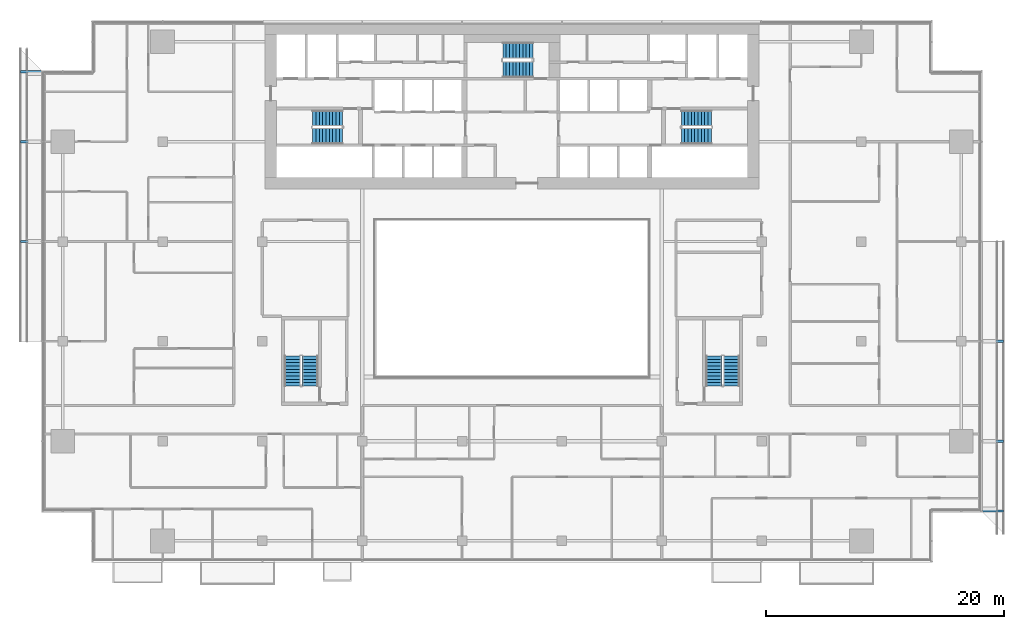
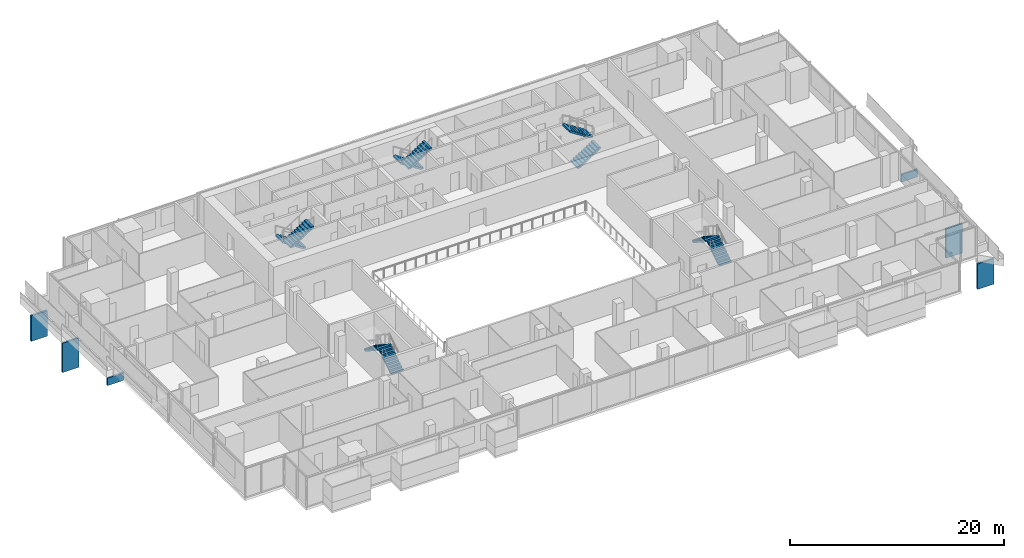
# One storey, part 24 of 27: 10 stair flights, 6 discrete accessories, 5 elements without a shape of their own.
"""IFC4 building model written with IfcOpenShell, lengths in metres."""

from ifc_helpers import new_model, si_unit, direction, frame, origin, origin_2d, place, context, subcontext, project, spatial, polyline, rectangle, outline, extrude, material, type_object, element, aggregate, save


model = new_model("IFC4")

# Units and contexts
model_context = context("Model", 3, precision=1e-05, world=origin(), true_north=direction((0.0, 1.0)))
body_context = subcontext(model_context, "Body", "Model", "MODEL_VIEW")
ifc_project = project(units=[si_unit("LENGTHUNIT", "METRE"), si_unit("AREAUNIT", "SQUARE_METRE"), si_unit("VOLUMEUNIT", "CUBIC_METRE"), si_unit("PLANEANGLEUNIT", "RADIAN"), si_unit("MASSUNIT", "GRAM", prefix="KILO")], contexts=[model_context])

# Site, building, storey
site_placement = place(None, origin())
site = spatial("IfcSite", under=ifc_project, at=site_placement, CompositionType="ELEMENT")
building_placement = place(site_placement, origin())
building = spatial("IfcBuilding", under=site, at=building_placement, Name="Saffron Gate Tower", CompositionType="ELEMENT")
storey_placement = place(building_placement, frame((0.0, 0.0, 109.64990234375)))
storey = spatial("IfcBuildingStorey", under=building, at=storey_placement, Name="L25", CompositionType="ELEMENT", Elevation=109.64990234375)

# Stair, stair flights
ifc_material = material(Name="Concrete C40", Category="concrete")
stair_type = type_object("IfcStairType", Name="ST7 Stair 1350 wide, 20 risers of 180", PredefinedType="HALF_TURN_STAIR", material=ifc_material)
stair_1_placement = place(storey_placement, origin())
stair_1 = element("IfcStair", 1, at=stair_1_placement, inside=storey, type_object=stair_type, Name="L25 Exit stair A", PredefinedType="HALF_TURN_STAIR")
stair_flight_type = type_object("IfcStairFlightType", Name="SF3 Stair flight 1350 wide, riser 180 going 280", PredefinedType="STRAIGHT", material=ifc_material)
stair_flight_1_placement = place(storey_placement, frame((73.35009765625, 67.375, 0.0), z_axis=(0.0, 0.0, 1.0), x_axis=(-1.0, 0.0, 0.0)))
stair_flight_1 = element("IfcStairFlight", 2, at=stair_flight_1_placement, type_object=stair_flight_type, Name="ST-A flight 1", NumberOfRisers=10, NumberOfTreads=9, PredefinedType="STRAIGHT", RiserHeight=0.18, TreadLength=0.28, context=body_context, shape_type="SweptSolid", body=[
    extrude(outline(polyline([(0.0, 0.0), (0.0, 0.179931640625), (0.280029296875, 0.179931640625), (0.280029296875, 0.360107421875), (0.56005859375, 0.360107421875), (0.56005859375, 0.5400390625), (0.840087890625, 0.5400390625), (0.840087890625, 0.719970703125), (1.1201171875, 0.719970703125), (1.1201171875, 0.89990234375), (1.39990234375, 0.89990234375), (1.39990234375, 1.080078125), (1.679931640625, 1.080078125), (1.679931640625, 1.260009765625), (1.9599609375, 1.260009765625), (1.9599609375, 1.43994140625), (2.239990234375, 1.43994140625), (2.239990234375, 1.6201171875), (2.52001953125, 1.6201171875), (2.52001953125, 1.800048828125), (2.52001953125, 1.44189453125), (0.277099609375, 0.0), (0.0, 0.0)])), frame((0.0, 0.675048828125, 0.0), z_axis=(0.0, -1.0, 0.0), x_axis=(1.0, 0.0, 0.0)), (0.0, 0.0, 1.0), 1.35009765625),
])
stair_flight_2_placement = place(storey_placement, frame((70.830078125, 65.875, 1.800048828125), z_axis=(0.0, 0.0, 1.0), x_axis=(1.0, 0.0, 0.0)))
stair_flight_2 = element("IfcStairFlight", 3, at=stair_flight_2_placement, type_object=stair_flight_type, Name="ST-A flight 2", NumberOfRisers=10, NumberOfTreads=9, PredefinedType="STRAIGHT", RiserHeight=0.18, TreadLength=0.28, context=body_context, shape_type="SweptSolid", body=[
    extrude(outline(polyline([(0.0, 0.0), (0.0, 0.179931640625), (0.280029296875, 0.179931640625), (0.280029296875, 0.360107421875), (0.56005859375, 0.360107421875), (0.56005859375, 0.5400390625), (0.840087890625, 0.5400390625), (0.840087890625, 0.719970703125), (1.1201171875, 0.719970703125), (1.1201171875, 0.89990234375), (1.39990234375, 0.89990234375), (1.39990234375, 1.080078125), (1.679931640625, 1.080078125), (1.679931640625, 1.260009765625), (1.9599609375, 1.260009765625), (1.9599609375, 1.43994140625), (2.239990234375, 1.43994140625), (2.239990234375, 1.6201171875), (2.52001953125, 1.6201171875), (2.52001953125, 1.800048828125), (2.52001953125, 1.44189453125), (0.277099609375, 0.0), (0.0, 0.0)])), frame((0.0, 0.675048828125, 0.0), z_axis=(0.0, -1.0, 0.0), x_axis=(1.0, 0.0, 0.0)), (0.0, 0.0, 1.0), 1.35009765625),
])
aggregate(stair_1, [stair_flight_1, stair_flight_2])

stair_2_placement = place(storey_placement, origin())
stair_2 = element("IfcStair", 4, at=stair_2_placement, inside=storey, type_object=stair_type, Name="L25 Exit stair B", PredefinedType="HALF_TURN_STAIR")
stair_flight_3_placement = place(storey_placement, frame((101.85009765625, 65.875, 0.0), z_axis=(0.0, 0.0, 1.0), x_axis=(1.0, 0.0, 0.0)))
stair_flight_3 = element("IfcStairFlight", 5, at=stair_flight_3_placement, type_object=stair_flight_type, Name="ST-B flight 1", NumberOfRisers=10, NumberOfTreads=9, PredefinedType="STRAIGHT", RiserHeight=0.18, TreadLength=0.28, context=body_context, shape_type="SweptSolid", body=[
    extrude(outline(polyline([(0.0, 0.0), (0.0, 0.179931640625), (0.280029296875, 0.179931640625), (0.280029296875, 0.360107421875), (0.56005859375, 0.360107421875), (0.56005859375, 0.5400390625), (0.840087890625, 0.5400390625), (0.840087890625, 0.719970703125), (1.1201171875, 0.719970703125), (1.1201171875, 0.89990234375), (1.39990234375, 0.89990234375), (1.39990234375, 1.080078125), (1.679931640625, 1.080078125), (1.679931640625, 1.260009765625), (1.9599609375, 1.260009765625), (1.9599609375, 1.43994140625), (2.239990234375, 1.43994140625), (2.239990234375, 1.6201171875), (2.52001953125, 1.6201171875), (2.52001953125, 1.800048828125), (2.52001953125, 1.44189453125), (0.277099609375, 0.0), (0.0, 0.0)])), frame((0.0, 0.675048828125, 0.0), z_axis=(0.0, -1.0, 0.0), x_axis=(1.0, 0.0, 0.0)), (0.0, 0.0, 1.0), 1.35009765625),
])
stair_flight_4_placement = place(storey_placement, frame((104.3701171875, 67.375, 1.800048828125), z_axis=(0.0, 0.0, 1.0), x_axis=(-1.0, 0.0, 0.0)))
stair_flight_4 = element("IfcStairFlight", 6, at=stair_flight_4_placement, type_object=stair_flight_type, Name="ST-B flight 2", NumberOfRisers=10, NumberOfTreads=9, PredefinedType="STRAIGHT", RiserHeight=0.18, TreadLength=0.28, context=body_context, shape_type="SweptSolid", body=[
    extrude(outline(polyline([(0.0, 0.0), (0.0, 0.179931640625), (0.280029296875, 0.179931640625), (0.280029296875, 0.360107421875), (0.56005859375, 0.360107421875), (0.56005859375, 0.5400390625), (0.840087890625, 0.5400390625), (0.840087890625, 0.719970703125), (1.1201171875, 0.719970703125), (1.1201171875, 0.89990234375), (1.39990234375, 0.89990234375), (1.39990234375, 1.080078125), (1.679931640625, 1.080078125), (1.679931640625, 1.260009765625), (1.9599609375, 1.260009765625), (1.9599609375, 1.43994140625), (2.239990234375, 1.43994140625), (2.239990234375, 1.6201171875), (2.52001953125, 1.6201171875), (2.52001953125, 1.800048828125), (2.52001953125, 1.44189453125), (0.277099609375, 0.0), (0.0, 0.0)])), frame((0.0, 0.675048828125, 0.0), z_axis=(0.0, -1.0, 0.0), x_axis=(1.0, 0.0, 0.0)), (0.0, 0.0, 1.0), 1.35009765625),
])
aggregate(stair_2, [stair_flight_3, stair_flight_4])

stair_3_placement = place(storey_placement, origin())
stair_3 = element("IfcStair", 7, at=stair_3_placement, inside=storey, type_object=stair_type, Name="L25 Exit stair C", PredefinedType="HALF_TURN_STAIR")
stair_flight_5_placement = place(storey_placement, frame((89.35009765625, 73.074951171875, 0.0), z_axis=(0.0, 0.0, 1.0), x_axis=(-1.0, 0.0, 0.0)))
stair_flight_5 = element("IfcStairFlight", 8, at=stair_flight_5_placement, type_object=stair_flight_type, Name="ST-C flight 1", NumberOfRisers=10, NumberOfTreads=9, PredefinedType="STRAIGHT", RiserHeight=0.18, TreadLength=0.28, context=body_context, shape_type="SweptSolid", body=[
    extrude(outline(polyline([(0.0, 0.0), (0.0, 0.179931640625), (0.280029296875, 0.179931640625), (0.280029296875, 0.360107421875), (0.56005859375, 0.360107421875), (0.56005859375, 0.5400390625), (0.840087890625, 0.5400390625), (0.840087890625, 0.719970703125), (1.1201171875, 0.719970703125), (1.1201171875, 0.89990234375), (1.39990234375, 0.89990234375), (1.39990234375, 1.080078125), (1.679931640625, 1.080078125), (1.679931640625, 1.260009765625), (1.9599609375, 1.260009765625), (1.9599609375, 1.43994140625), (2.239990234375, 1.43994140625), (2.239990234375, 1.6201171875), (2.52001953125, 1.6201171875), (2.52001953125, 1.800048828125), (2.52001953125, 1.44189453125), (0.277099609375, 0.0), (0.0, 0.0)])), frame((0.0, 0.675048828125, 0.0), z_axis=(0.0, -1.0, 0.0), x_axis=(1.0, 0.0, 0.0)), (0.0, 0.0, 1.0), 1.35009765625),
])
stair_flight_6_placement = place(storey_placement, frame((86.830078125, 71.47509765625, 1.800048828125), z_axis=(0.0, 0.0, 1.0), x_axis=(1.0, 0.0, 0.0)))
stair_flight_6 = element("IfcStairFlight", 9, at=stair_flight_6_placement, type_object=stair_flight_type, Name="ST-C flight 2", NumberOfRisers=10, NumberOfTreads=9, PredefinedType="STRAIGHT", RiserHeight=0.18, TreadLength=0.28, context=body_context, shape_type="SweptSolid", body=[
    extrude(outline(polyline([(0.0, 0.0), (0.0, 0.179931640625), (0.280029296875, 0.179931640625), (0.280029296875, 0.360107421875), (0.56005859375, 0.360107421875), (0.56005859375, 0.5400390625), (0.840087890625, 0.5400390625), (0.840087890625, 0.719970703125), (1.1201171875, 0.719970703125), (1.1201171875, 0.89990234375), (1.39990234375, 0.89990234375), (1.39990234375, 1.080078125), (1.679931640625, 1.080078125), (1.679931640625, 1.260009765625), (1.9599609375, 1.260009765625), (1.9599609375, 1.43994140625), (2.239990234375, 1.43994140625), (2.239990234375, 1.6201171875), (2.52001953125, 1.6201171875), (2.52001953125, 1.800048828125), (2.52001953125, 1.44189453125), (0.277099609375, 0.0), (0.0, 0.0)])), frame((0.0, 0.675048828125, 0.0), z_axis=(0.0, -1.0, 0.0), x_axis=(1.0, 0.0, 0.0)), (0.0, 0.0, 1.0), 1.35009765625),
])
aggregate(stair_3, [stair_flight_5, stair_flight_6])

stair_4_placement = place(storey_placement, origin())
stair_4 = element("IfcStair", 10, at=stair_4_placement, inside=storey, type_object=stair_type, Name="L25 Exit stair D", PredefinedType="HALF_TURN_STAIR")
stair_flight_7_placement = place(storey_placement, frame((70.625, 44.85009765625, 0.0), z_axis=(0.0, 0.0, 1.0), x_axis=(0.0, 1.0, 0.0)))
stair_flight_7 = element("IfcStairFlight", 11, at=stair_flight_7_placement, type_object=stair_flight_type, Name="ST-D flight 1", NumberOfRisers=10, NumberOfTreads=9, PredefinedType="STRAIGHT", RiserHeight=0.18, TreadLength=0.28, context=body_context, shape_type="SweptSolid", body=[
    extrude(outline(polyline([(0.0, 0.0), (0.0, 0.179931640625), (0.280029296875, 0.179931640625), (0.280029296875, 0.360107421875), (0.56005859375, 0.360107421875), (0.56005859375, 0.5400390625), (0.840087890625, 0.5400390625), (0.840087890625, 0.719970703125), (1.1201171875, 0.719970703125), (1.1201171875, 0.89990234375), (1.39990234375, 0.89990234375), (1.39990234375, 1.080078125), (1.679931640625, 1.080078125), (1.679931640625, 1.260009765625), (1.9599609375, 1.260009765625), (1.9599609375, 1.43994140625), (2.239990234375, 1.43994140625), (2.239990234375, 1.6201171875), (2.52001953125, 1.6201171875), (2.52001953125, 1.800048828125), (2.52001953125, 1.44189453125), (0.277099609375, 0.0), (0.0, 0.0)])), frame((0.0, 0.675048828125, 0.0), z_axis=(0.0, -1.0, 0.0), x_axis=(1.0, 0.0, 0.0)), (0.0, 0.0, 1.0), 1.35009765625),
])
stair_flight_8_placement = place(storey_placement, frame((69.125, 47.3701171875, 1.800048828125), z_axis=(0.0, 0.0, 1.0), x_axis=(0.0, -1.0, 0.0)))
stair_flight_8 = element("IfcStairFlight", 12, at=stair_flight_8_placement, type_object=stair_flight_type, Name="ST-D flight 2", NumberOfRisers=10, NumberOfTreads=9, PredefinedType="STRAIGHT", RiserHeight=0.18, TreadLength=0.28, context=body_context, shape_type="SweptSolid", body=[
    extrude(outline(polyline([(0.0, 0.0), (0.0, 0.179931640625), (0.280029296875, 0.179931640625), (0.280029296875, 0.360107421875), (0.56005859375, 0.360107421875), (0.56005859375, 0.5400390625), (0.840087890625, 0.5400390625), (0.840087890625, 0.719970703125), (1.1201171875, 0.719970703125), (1.1201171875, 0.89990234375), (1.39990234375, 0.89990234375), (1.39990234375, 1.080078125), (1.679931640625, 1.080078125), (1.679931640625, 1.260009765625), (1.9599609375, 1.260009765625), (1.9599609375, 1.43994140625), (2.239990234375, 1.43994140625), (2.239990234375, 1.6201171875), (2.52001953125, 1.6201171875), (2.52001953125, 1.800048828125), (2.52001953125, 1.44189453125), (0.277099609375, 0.0), (0.0, 0.0)])), frame((0.0, 0.675048828125, 0.0), z_axis=(0.0, -1.0, 0.0), x_axis=(1.0, 0.0, 0.0)), (0.0, 0.0, 1.0), 1.35009765625),
])
aggregate(stair_4, [stair_flight_7, stair_flight_8])

stair_5_placement = place(storey_placement, origin())
stair_5 = element("IfcStair", 13, at=stair_5_placement, inside=storey, type_object=stair_type, Name="L25 Exit stair E", PredefinedType="HALF_TURN_STAIR")
stair_flight_9_placement = place(storey_placement, frame((106.074951171875, 44.85009765625, 0.0), z_axis=(0.0, 0.0, 1.0), x_axis=(0.0, 1.0, 0.0)))
stair_flight_9 = element("IfcStairFlight", 14, at=stair_flight_9_placement, type_object=stair_flight_type, Name="ST-E flight 1", NumberOfRisers=10, NumberOfTreads=9, PredefinedType="STRAIGHT", RiserHeight=0.18, TreadLength=0.28, context=body_context, shape_type="SweptSolid", body=[
    extrude(outline(polyline([(0.0, 0.0), (0.0, 0.179931640625), (0.280029296875, 0.179931640625), (0.280029296875, 0.360107421875), (0.56005859375, 0.360107421875), (0.56005859375, 0.5400390625), (0.840087890625, 0.5400390625), (0.840087890625, 0.719970703125), (1.1201171875, 0.719970703125), (1.1201171875, 0.89990234375), (1.39990234375, 0.89990234375), (1.39990234375, 1.080078125), (1.679931640625, 1.080078125), (1.679931640625, 1.260009765625), (1.9599609375, 1.260009765625), (1.9599609375, 1.43994140625), (2.239990234375, 1.43994140625), (2.239990234375, 1.6201171875), (2.52001953125, 1.6201171875), (2.52001953125, 1.800048828125), (2.52001953125, 1.44189453125), (0.277099609375, 0.0), (0.0, 0.0)])), frame((0.0, 0.675048828125, 0.0), z_axis=(0.0, -1.0, 0.0), x_axis=(1.0, 0.0, 0.0)), (0.0, 0.0, 1.0), 1.35009765625),
])
stair_flight_10_placement = place(storey_placement, frame((104.574951171875, 47.3701171875, 1.800048828125), z_axis=(0.0, 0.0, 1.0), x_axis=(0.0, -1.0, 0.0)))
stair_flight_10 = element("IfcStairFlight", 15, at=stair_flight_10_placement, type_object=stair_flight_type, Name="ST-E flight 2", NumberOfRisers=10, NumberOfTreads=9, PredefinedType="STRAIGHT", RiserHeight=0.18, TreadLength=0.28, context=body_context, shape_type="SweptSolid", body=[
    extrude(outline(polyline([(0.0, 0.0), (0.0, 0.179931640625), (0.280029296875, 0.179931640625), (0.280029296875, 0.360107421875), (0.56005859375, 0.360107421875), (0.56005859375, 0.5400390625), (0.840087890625, 0.5400390625), (0.840087890625, 0.719970703125), (1.1201171875, 0.719970703125), (1.1201171875, 0.89990234375), (1.39990234375, 0.89990234375), (1.39990234375, 1.080078125), (1.679931640625, 1.080078125), (1.679931640625, 1.260009765625), (1.9599609375, 1.260009765625), (1.9599609375, 1.43994140625), (2.239990234375, 1.43994140625), (2.239990234375, 1.6201171875), (2.52001953125, 1.6201171875), (2.52001953125, 1.800048828125), (2.52001953125, 1.44189453125), (0.277099609375, 0.0), (0.0, 0.0)])), frame((0.0, 0.675048828125, 0.0), z_axis=(0.0, -1.0, 0.0), x_axis=(1.0, 0.0, 0.0)), (0.0, 0.0, 1.0), 1.35009765625),
])
aggregate(stair_5, [stair_flight_9, stair_flight_10])

# Discrete accessories
discrete_accessory_1_placement = place(storey_placement, frame((128.074951171875, 34.320068359375, -3.8798828125), z_axis=(0.0, 0.0, 1.0), x_axis=(0.0, 1.0, 0.0)))
element("IfcDiscreteAccessory", 16, at=discrete_accessory_1_placement, inside=storey, Name="LEDGE rib", PredefinedType="BRACKET", context=body_context, shape_type="SweptSolid", body=[
    extrude(rectangle(XDim=0.199951171875, YDim=1.75, at=origin_2d()), origin(), (0.0, 0.0, 1.0), 2.921875),
])
discrete_accessory_2_placement = place(storey_placement, frame((128.074951171875, 40.199951171875, -3.8798828125), z_axis=(0.0, 0.0, 1.0), x_axis=(0.0, 1.0, 0.0)))
element("IfcDiscreteAccessory", 17, at=discrete_accessory_2_placement, inside=storey, Name="LEDGE rib", PredefinedType="BRACKET", context=body_context, shape_type="SweptSolid", body=[
    extrude(rectangle(XDim=0.199951171875, YDim=1.75, at=origin_2d()), origin(), (0.0, 0.0, 1.0), 3.35205078125),
])
discrete_accessory_3_placement = place(storey_placement, frame((128.074951171875, 48.60009765625, -0.27978515625), z_axis=(0.0, 0.0, 1.0), x_axis=(0.0, 1.0, 0.0)))
element("IfcDiscreteAccessory", 18, at=discrete_accessory_3_placement, inside=storey, Name="LEDGE rib", PredefinedType="BRACKET", context=body_context, shape_type="SweptSolid", body=[
    extrude(rectangle(XDim=0.199951171875, YDim=1.75, at=origin_2d()), origin(), (0.0, 0.0, 1.0), 0.851318359375),
])
discrete_accessory_4_placement = place(storey_placement, frame((47.125, 71.280029296875, -3.8798828125), z_axis=(0.0, 0.0, 1.0), x_axis=(0.0, -1.0, 0.0)))
element("IfcDiscreteAccessory", 19, at=discrete_accessory_4_placement, inside=storey, Name="LEDGE rib", PredefinedType="BRACKET", context=body_context, shape_type="SweptSolid", body=[
    extrude(rectangle(XDim=0.199951171875, YDim=1.75, at=origin_2d()), origin(), (0.0, 0.0, 1.0), 2.921875),
])
discrete_accessory_5_placement = place(storey_placement, frame((47.125, 65.39990234375, -3.8798828125), z_axis=(0.0, 0.0, 1.0), x_axis=(0.0, -1.0, 0.0)))
element("IfcDiscreteAccessory", 20, at=discrete_accessory_5_placement, inside=storey, Name="LEDGE rib", PredefinedType="BRACKET", context=body_context, shape_type="SweptSolid", body=[
    extrude(rectangle(XDim=0.199951171875, YDim=1.75, at=origin_2d()), origin(), (0.0, 0.0, 1.0), 3.35205078125),
])
discrete_accessory_6_placement = place(storey_placement, frame((47.125, 57.0, -0.27978515625), z_axis=(0.0, 0.0, 1.0), x_axis=(0.0, -1.0, 0.0)))
element("IfcDiscreteAccessory", 21, at=discrete_accessory_6_placement, inside=storey, Name="LEDGE rib", PredefinedType="BRACKET", context=body_context, shape_type="SweptSolid", body=[
    extrude(rectangle(XDim=0.199951171875, YDim=1.75, at=origin_2d()), origin(), (0.0, 0.0, 1.0), 0.851318359375),
])

save(model, "model.ifc")
